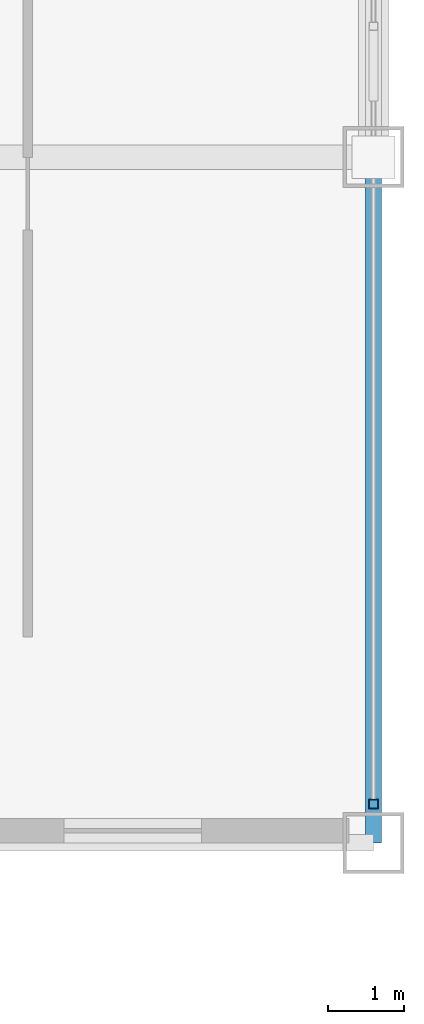
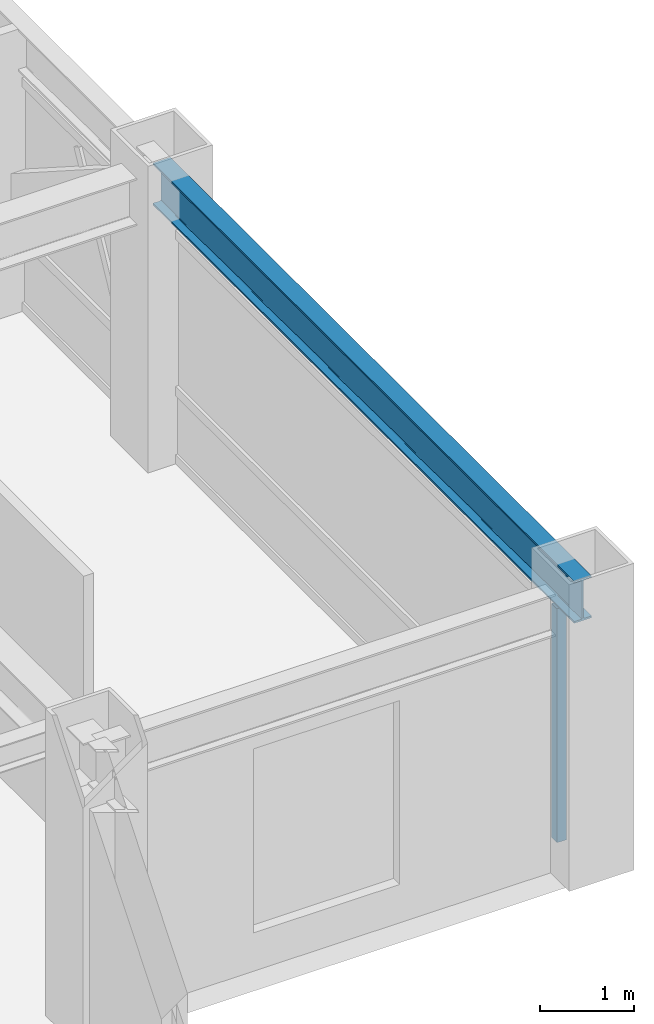
# One storey, part 10 of 32: 1 beam, 1 member, 1 element without a shape of its own.
"""IFC4 building model written with IfcOpenShell, lengths in metres."""

import ifcopenshell
import ifcopenshell.guid

model = None  # the IFC model being written
_history = None  # IfcOwnerHistory: only IFC2X3 demands one
_inside = {}  # id of a spatial element -> (the spatial element, [elements in it])
_under = {}  # id of a project, library or spatial element -> (it, [spatial elements below it])
_declared = {}  # id of a project -> (the project, [libraries it declares])
_typed = {}  # id of a type object -> (the type object, [elements of that type])
_made_of = {}  # id of a material, layer set ... -> (it, [elements and type objects made of it])


def new_model(schema):
    """Start an empty IFC model of exactly this schema.

    Asked for "IFC4X3", IfcOpenShell would pick the latest addendum, in which some entities
    have other attributes; the version numbers below select the first issue.
    IFC2X3 requires an IfcOwnerHistory on every rooted entity: one is made here for all.
    """
    global model, _history
    if schema == "IFC4X3":
        model = ifcopenshell.file(schema_version=(4, 3, 0, 0))
    else:
        model = ifcopenshell.file(schema=schema)
    _inside.clear()
    _under.clear()
    _declared.clear()
    _typed.clear()
    _made_of.clear()
    _history = None
    if model.schema == "IFC2X3":
        org = make("IfcOrganization", Name="unknown")
        user = make(
            "IfcPersonAndOrganization",
            ThePerson=make("IfcPerson", FamilyName="unknown"),
            TheOrganization=org,
        )
        app = make(
            "IfcApplication",
            ApplicationDeveloper=org,
            Version="unknown",
            ApplicationFullName="unknown",
            ApplicationIdentifier="unknown",
        )
        _history = make(
            "IfcOwnerHistory",
            OwningUser=user,
            OwningApplication=app,
            ChangeAction="ADDED",
            CreationDate=0,
        )
    return model


def make(cls, **values):
    """One entity of the class cls with the attributes given. An attribute that is None is left unset."""
    return model.create_entity(
        cls, **{name: value for name, value in values.items() if value is not None}
    )


def rooted(cls, **values):
    """An entity with a GlobalId (a new one), such as an element, a storey or a relation."""
    return make(cls, GlobalId=ifcopenshell.guid.new(), OwnerHistory=_history, **values)


def si_unit(unit_type, name, prefix=None):
    """IfcSIUnit, for example si_unit("LENGTHUNIT", "METRE", prefix="MILLI")."""
    return make("IfcSIUnit", UnitType=unit_type, Prefix=prefix, Name=name)


def assignment(units):
    """IfcUnitAssignment: the units of a project."""
    return None if units is None else make("IfcUnitAssignment", Units=units)


def point(xyz):
    """IfcCartesianPoint."""
    return None if xyz is None else make("IfcCartesianPoint", Coordinates=xyz)


def direction(xyz):
    """IfcDirection."""
    return None if xyz is None else make("IfcDirection", DirectionRatios=xyz)


def frame(location, z_axis=None, x_axis=None):
    """IfcAxis2Placement3D, a coordinate frame: its origin and axes. An axis left out is left unset."""
    return make(
        "IfcAxis2Placement3D",
        Location=point(location),
        Axis=direction(z_axis),
        RefDirection=direction(x_axis),
    )


def frame_2d(location, x_axis=None):
    """IfcAxis2Placement2D, a coordinate frame in the plane: its origin and x axis."""
    return make(
        "IfcAxis2Placement2D", Location=point(location), RefDirection=direction(x_axis)
    )


def origin():
    """The frame at (0, 0, 0) with its axes left unset."""
    return frame((0.0, 0.0, 0.0))


def origin_2d():
    """The frame at (0, 0) in the plane with its x axis left unset."""
    return frame_2d((0.0, 0.0))


def place(relative_to, where):
    """IfcLocalPlacement: puts the frame where relative to a parent placement (None: the world)."""
    return make(
        "IfcLocalPlacement", PlacementRelTo=relative_to, RelativePlacement=where
    )


def context(
    kind, dimensions, precision=None, world=None, true_north=None, identifier=None
):
    """IfcGeometricRepresentationContext, for example the 3D "Model" context."""
    return make(
        "IfcGeometricRepresentationContext",
        ContextIdentifier=identifier,
        ContextType=kind,
        CoordinateSpaceDimension=dimensions,
        Precision=precision,
        WorldCoordinateSystem=world,
        TrueNorth=true_north,
    )


def subcontext(parent, identifier, kind, view, scale=None):
    """IfcGeometricRepresentationSubContext, for example "Body" below "Model"."""
    return make(
        "IfcGeometricRepresentationSubContext",
        ContextIdentifier=identifier,
        ContextType=kind,
        ParentContext=parent,
        TargetScale=scale,
        TargetView=view,
    )


def project(units=None, contexts=None):
    """IfcProject with its units and contexts."""
    return rooted(
        "IfcProject",
        Name="project",
        RepresentationContexts=contexts,
        UnitsInContext=assignment(units),
    )


def spatial(cls, under=None, at=None, **own):
    """A site, building, storey or space (cls), placed at a placement, below another one or the project."""
    s = rooted(cls, ObjectPlacement=at, **own)
    if under is not None:
        _under.setdefault(under.id(), (under, []))[1].append(s)
    return s


def profile(cls, at=None, kind="AREA", **sizes):
    """A parametric profile (cls). Its sizes go by their IFC names, for example OverallWidth=200.0."""
    return make(cls, ProfileType=kind, Position=at, **sizes)


def hollow_rectangle(**sizes):
    """IfcRectangleHollowProfileDef."""
    return profile("IfcRectangleHollowProfileDef", **sizes)


def i_section(**sizes):
    """IfcIShapeProfileDef."""
    return profile("IfcIShapeProfileDef", **sizes)


def extrude(swept, where, along, depth):
    """IfcExtrudedAreaSolid: the profile swept, set in the frame where, extruded along a direction by depth."""
    return make(
        "IfcExtrudedAreaSolid",
        SweptArea=swept,
        Position=where,
        ExtrudedDirection=direction(along),
        Depth=depth,
    )


def shape(context_of_items, identifier, shape_type, items):
    """IfcShapeRepresentation: the items that make up one representation, for example the "Body"."""
    return make(
        "IfcShapeRepresentation",
        ContextOfItems=context_of_items,
        RepresentationIdentifier=identifier,
        RepresentationType=shape_type,
        Items=items,
    )


def source(mapping_origin, context_of_items, identifier, shape_type, items):
    """IfcRepresentationMap: a shape defined once, which mapped items show again and again."""
    return make(
        "IfcRepresentationMap",
        MappingOrigin=mapping_origin,
        MappedRepresentation=shape(context_of_items, identifier, shape_type, items),
    )


def transform(
    local_origin,
    x_axis=None,
    y_axis=None,
    z_axis=None,
    scale=None,
    scale2=None,
    scale3=None,
    uniform=True,
):
    """IfcCartesianTransformationOperator3D, or its non-uniform kind. x_axis, y_axis, z_axis: its Axis1, 2, 3."""
    if uniform:
        return make(
            "IfcCartesianTransformationOperator3D",
            Axis1=direction(x_axis),
            Axis2=direction(y_axis),
            LocalOrigin=point(local_origin),
            Scale=scale,
            Axis3=direction(z_axis),
        )
    return make(
        "IfcCartesianTransformationOperator3DnonUniform",
        Axis1=direction(x_axis),
        Axis2=direction(y_axis),
        LocalOrigin=point(local_origin),
        Scale=scale,
        Axis3=direction(z_axis),
        Scale2=scale2,
        Scale3=scale3,
    )


def mapped(mapping_source, mapping_target):
    """IfcMappedItem: shows the shape of a source again, moved by a transform."""
    return make(
        "IfcMappedItem", MappingSource=mapping_source, MappingTarget=mapping_target
    )


def material(Name=None, Category=None):
    """IfcMaterial."""
    return make("IfcMaterial", Name=Name, Category=Category)


def material_profile(
    of_material, cross_section, Name=None, Category=None, Priority=None
):
    """IfcMaterialProfile: a cross section and its material."""
    return make(
        "IfcMaterialProfile",
        Name=Name,
        Material=of_material,
        Profile=cross_section,
        Priority=Priority,
        Category=Category,
    )


def profile_set(profiles, Name=None, composite=None):
    """IfcMaterialProfileSet."""
    return make(
        "IfcMaterialProfileSet",
        Name=Name,
        MaterialProfiles=profiles,
        CompositeProfile=composite,
    )


def made_of(thing, what):
    """Note that an element or type object is made of a material, layer set ...; save() writes the relation."""
    if what is not None:
        _made_of.setdefault(what.id(), (what, []))[1].append(thing)
    return thing


def type_object(cls, material=None, **own):
    """A type object (cls), such as IfcWallType, which elements share."""
    return made_of(rooted(cls, **own), material)


def element(
    cls,
    number,
    at=None,
    inside=None,
    cuts=None,
    type_object=None,
    material=None,
    context=None,
    identifier="Body",
    shape_type=None,
    held_by="IfcProductDefinitionShape",
    body=None,
    shapes=None,
    **own,
):
    """One element of the class cls, such as IfcWall. Its Tag is "e" and its number.

    at: its placement. inside: the storey or other place that contains it. cuts: it is an
    opening in that element (IfcRelVoidsElement). A single representation is given by context,
    identifier, shape_type and body (its items); several are given by shapes. held_by: the class
    of the entity that holds the representations. save() writes the other relations.
    """
    e = rooted(cls, Tag="e%d" % number, ObjectPlacement=at, **own)
    if body is not None:
        shapes = [shape(context, identifier, shape_type, body)]
    if shapes is not None:
        e.Representation = make(held_by, Representations=shapes)
    if inside is not None:
        _inside.setdefault(inside.id(), (inside, []))[1].append(e)
    if cuts is not None:
        rooted(
            "IfcRelVoidsElement", RelatingBuildingElement=cuts, RelatedOpeningElement=e
        )
    if type_object is not None:
        _typed.setdefault(type_object.id(), (type_object, []))[1].append(e)
    return made_of(e, material)


def aggregate(whole, parts):
    """IfcRelAggregates: a whole, such as a stair, and the parts it consists of."""
    return rooted("IfcRelAggregates", RelatingObject=whole, RelatedObjects=parts)


def save(model, path):
    """Write the relations noted so far, then the file.

    IfcRelAggregates (storeys below a building ...), IfcRelContainedInSpatialStructure (elements
    in a storey), IfcRelDefinesByType, IfcRelAssociatesMaterial and IfcRelDeclares: one each for
    every whole, place, type object, material and project.
    """
    for whole, parts in _under.values():
        aggregate(whole, parts)
    for where, things in _inside.values():
        rooted(
            "IfcRelContainedInSpatialStructure",
            RelatedElements=things,
            RelatingStructure=where,
        )
    for kind, things in _typed.values():
        rooted("IfcRelDefinesByType", RelatedObjects=things, RelatingType=kind)
    for what, things in _made_of.values():
        rooted("IfcRelAssociatesMaterial", RelatedObjects=things, RelatingMaterial=what)
    for by, libraries in _declared.values():
        rooted("IfcRelDeclares", RelatingContext=by, RelatedDefinitions=libraries)
    model.write(path)


model = new_model("IFC4")

# Units and contexts
model_context = context("Model", 3, precision=1e-05, world=origin(), true_north=direction((0.0, 1.0)))
body_context = subcontext(model_context, "Body", "Model", "MODEL_VIEW")
ifc_project = project(units=[si_unit("LENGTHUNIT", "METRE"), si_unit("AREAUNIT", "SQUARE_METRE"), si_unit("VOLUMEUNIT", "CUBIC_METRE"), si_unit("PLANEANGLEUNIT", "RADIAN"), si_unit("MASSUNIT", "GRAM", prefix="KILO")], contexts=[model_context])

# Site, building, storey
site_placement = place(None, origin())
site = spatial("IfcSite", under=ifc_project, at=site_placement, CompositionType="ELEMENT")
building_placement = place(site_placement, origin())
building = spatial("IfcBuilding", under=site, at=building_placement, Name="Khorayat Bourse Tower", CompositionType="ELEMENT")
storey_placement = place(building_placement, frame((0.0, 0.0, 342.300048828125)))
storey = spatial("IfcBuildingStorey", under=building, at=storey_placement, Name="L81", CompositionType="ELEMENT", Elevation=342.300048828125)

# Beam
ifc_material_1 = material(Name="Steel ASTM A992 Grade 50", Category="steel")
ifc_material_profile_1 = material_profile(ifc_material_1, i_section(OverallWidth=0.214111328125, OverallDepth=0.549072265625, WebThickness=0.0146484375, FlangeThickness=0.023681640625, FilletRadius=0.013916015625, at=origin_2d()), Name="W530X138")
ifc_profile_set_1 = profile_set([ifc_material_profile_1], Name="Steel ASTM A992 Grade 50")
beam_type = type_object("IfcBeamType", Name="BM-SPAN-530", PredefinedType="SPANDREL", material=ifc_profile_set_1)
shared_shape_1 = source(origin(), body_context, "Body", "SweptSolid", [
    extrude(i_section(OverallWidth=0.214111328125, OverallDepth=0.549072265625, WebThickness=0.0146484375, FlangeThickness=0.023681640625, FilletRadius=0.013916015625, at=origin_2d()), origin(), (0.0, 0.0, 1.0), 9.0),
])
beam_placement = place(storey_placement, frame((26.0, -20.0, 3.425537109375), z_axis=(0.0, 1.0, 0.0), x_axis=(-1.0, 0.0, 0.0)))
element("IfcBeam", 1, at=beam_placement, inside=storey, type_object=beam_type, Name="L81 BM-SPAN-530 BM-L81-SPN-029", PredefinedType="SPANDREL", context=body_context, shape_type="MappedRepresentation", body=[
    mapped(shared_shape_1, transform((0.0, 0.0, 0.0), scale=1.0)),
])

# Curtain wall, member
ifc_material_2 = material(Name="Aluminium EN AW-6063 T6", Category="aluminium")
curtain_wall_type = type_object("IfcCurtainWallType", Name="CW-SYS-04", PredefinedType="NOTDEFINED", material=ifc_material_2)
curtain_wall_placement = place(storey_placement, origin())
curtain_wall = element("IfcCurtainWall", 2, at=curtain_wall_placement, inside=storey, type_object=curtain_wall_type, Name="L81 Curtain Wall CW-L81-E1", PredefinedType="NOTDEFINED")
ifc_material_profile_2 = material_profile(ifc_material_2, hollow_rectangle(XDim=0.1201171875, YDim=0.1201171875, WallThickness=0.0048828125, at=origin_2d()), Name="ALU 120x120x5")
ifc_profile_set_2 = profile_set([ifc_material_profile_2], Name="Aluminium EN AW-6063 T6")
member_type = type_object("IfcMemberType", Name="CWM-VERT-120", PredefinedType="MULLION", material=ifc_profile_set_2)
shared_shape_2 = source(origin(), body_context, "Body", "SweptSolid", [
    extrude(hollow_rectangle(XDim=0.1201171875, YDim=0.1201171875, WallThickness=0.0048828125, at=origin_2d()), origin(), (0.0, 0.0, 1.0), 3.050048828125),
])
member_placement = place(storey_placement, frame((26.0, -19.489990234375, 0.0), z_axis=(0.0, 0.0, 1.0), x_axis=(-1.0, 0.0, 0.0)))
member = element("IfcMember", 3, at=member_placement, type_object=member_type, Name="CW-L81-E1 Vertical Mullion 1", PredefinedType="MULLION", context=body_context, shape_type="MappedRepresentation", body=[
    mapped(shared_shape_2, transform((0.0, 0.0, 0.0), scale=1.0)),
])
aggregate(curtain_wall, [member])

save(model, "model.ifc")
